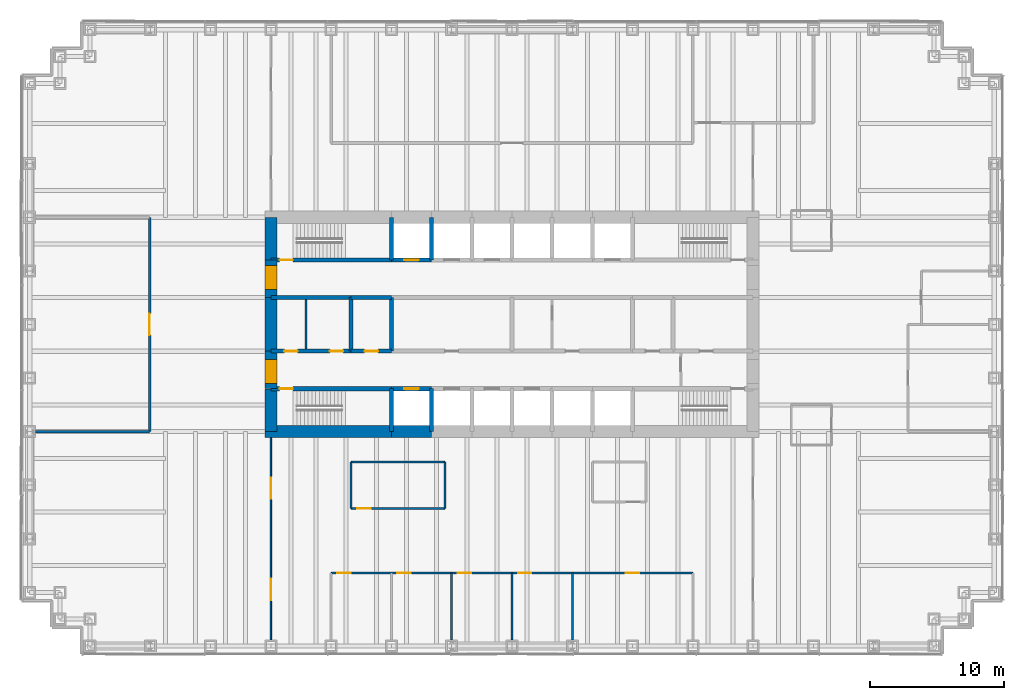
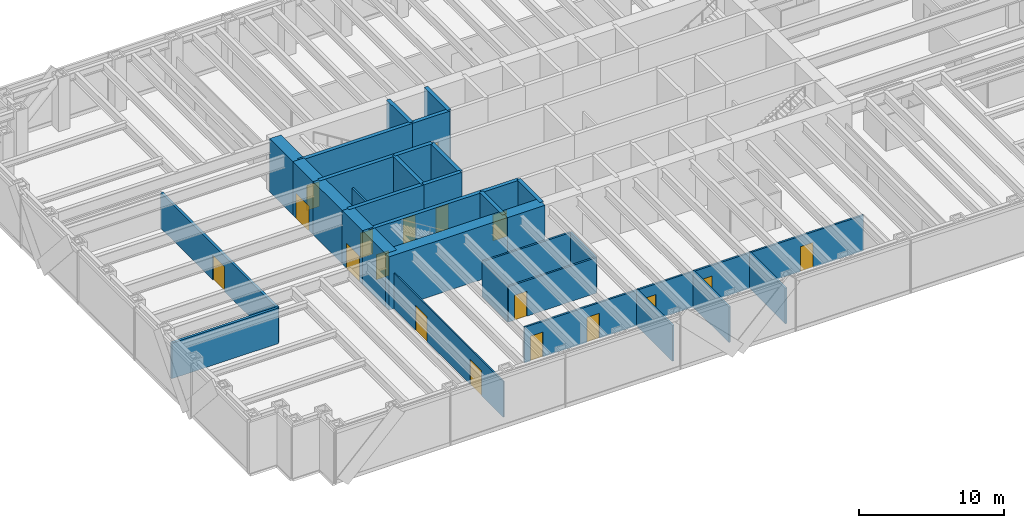
# One storey, part 9 of 13: 33 walls, 18 doors, 18 openings.
"""IFC4 building model written with IfcOpenShell, lengths in metres."""

from ifc_helpers import new_model, si_unit, direction, frame, frame_2d, origin, place, context, subcontext, project, spatial, rectangle, extrude, material, layer, layer_set, type_object, element, fill, save


model = new_model("IFC4")

# Units and contexts
model_context = context("Model", 3, precision=1e-05, world=origin(), true_north=direction((0.0, 1.0)))
body_context = subcontext(model_context, "Body", "Model", "MODEL_VIEW")
ifc_project = project(units=[si_unit("LENGTHUNIT", "METRE"), si_unit("AREAUNIT", "SQUARE_METRE"), si_unit("VOLUMEUNIT", "CUBIC_METRE"), si_unit("PLANEANGLEUNIT", "RADIAN"), si_unit("MASSUNIT", "GRAM", prefix="KILO")], contexts=[model_context])

# Site, building, storey
site_placement = place(None, origin())
site = spatial("IfcSite", under=ifc_project, at=site_placement, CompositionType="ELEMENT")
building_placement = place(site_placement, origin())
building = spatial("IfcBuilding", under=site, at=building_placement, Name="Rheinbord Bourse Tower", CompositionType="ELEMENT")
storey_placement = place(building_placement, frame((0.0, 0.0, 32.0)))
storey = spatial("IfcBuildingStorey", under=building, at=storey_placement, Name="L06", CompositionType="ELEMENT", Elevation=32.0)

# Wall
ifc_material_1 = material(Name="Acoustic gypsum board partition", Category="gypsum board")
ifc_layer_1 = layer(ifc_material_1, 0.199951171875)
ifc_layer_set_1 = layer_set([ifc_layer_1], Name="ACOUSTIC PARTITION 200")
wall_type_1 = type_object("IfcWallType", Name="ACOUSTIC PARTITION 200", PredefinedType="PARTITIONING", material=ifc_layer_set_1)
wall_1_placement = place(storey_placement, frame((0.449951171875, 16.0, 0.0), z_axis=(0.0, 0.0, 1.0), x_axis=(1.0, 0.0, 0.0)))
element("IfcWall", 1, at=wall_1_placement, inside=storey, type_object=wall_type_1, Name="Partition L06-07", PredefinedType="PARTITIONING", context=body_context, shape_type="SweptSolid", body=[
    extrude(rectangle(XDim=8.5, YDim=0.199951171875, at=frame_2d((4.25, 0.0))), origin(), (0.0, 0.0, 1.0), 3.0),
])

# Wall, opening, door
wall_2_placement = place(storey_placement, frame((8.949951171875, 16.0, 0.0), z_axis=(0.0, 0.0, 1.0), x_axis=(0.0, 1.0, 0.0)))
wall_2 = element("IfcWall", 2, at=wall_2_placement, inside=storey, type_object=wall_type_1, Name="Partition L06-17", PredefinedType="PARTITIONING", context=body_context, shape_type="SweptSolid", body=[
    extrude(rectangle(XDim=16.0, YDim=0.199951171875, at=frame_2d((8.0, 0.0))), origin(), (0.0, 0.0, 1.0), 3.0),
])
opening_1_placement = place(wall_2_placement, frame((7.199951171875, 0.0, 0.0)))
opening_1 = element("IfcOpeningElement", 3, at=opening_1_placement, cuts=wall_2, Name="Opening 06D10", PredefinedType="OPENING", context=body_context, shape_type="SweptSolid", body=[
    extrude(rectangle(XDim=1.60009765625, YDim=2.10009765625, at=frame_2d((0.800048828125, 1.050048828125))), frame((0.0, 0.10986328125, 0.0), z_axis=(0.0, -1.0, 0.0), x_axis=(1.0, 0.0, 0.0)), (0.0, 0.0, 1.0), 0.219970703125),
])
ifc_material_2 = material(Name="Timber door", Category="wood")
door_type_1 = type_object("IfcDoorType", Name="DOUBLE ROOM DOOR 1600", OperationType="DOUBLE_DOOR_DOUBLE_SWING", PredefinedType="DOOR", material=ifc_material_2)
door_1_placement = place(opening_1_placement, origin())
door_1 = element("IfcDoor", 4, at=door_1_placement, inside=storey, type_object=door_type_1, Name="Market surveillance room door L06", OperationType="SINGLE_SWING_LEFT", OverallHeight=2.10009765625, OverallWidth=1.60009765625, PredefinedType="DOOR", context=body_context, shape_type="SweptSolid", body=[
    extrude(rectangle(XDim=1.60009765625, YDim=2.10009765625, at=frame_2d((0.800048828125, 1.050048828125))), frame((0.0, 0.02490234375, 0.0), z_axis=(0.0, -1.0, 0.0), x_axis=(1.0, 0.0, 0.0)), (0.0, 0.0, 1.0), 0.050048828125),
])
fill(opening_1, door_1)

ifc_material_3 = material(Name="Concrete C50/60", Category="concrete")
ifc_layer_2 = layer(ifc_material_3, 0.300048828125)
ifc_layer_set_2 = layer_set([ifc_layer_2], Name="CORE INNER WALL 300")
wall_type_2 = type_object("IfcWallType", Name="CORE INNER WALL 300", PredefinedType="SOLIDWALL", material=ifc_layer_set_2)
wall_3_placement = place(storey_placement, frame((18.0, 19.199951171875, 0.0), z_axis=(0.0, 0.0, 1.0), x_axis=(1.0, 0.0, 0.0)))
wall_3 = element("IfcWall", 5, at=wall_3_placement, inside=storey, type_object=wall_type_2, Name="Core wall A1 L06", PredefinedType="SOLIDWALL", context=body_context, shape_type="SweptSolid", body=[
    extrude(rectangle(XDim=9.0, YDim=0.300048828125, at=frame_2d((4.5, 0.0))), origin(), (0.0, 0.0, 1.0), 4.5),
])
opening_2_placement = place(wall_3_placement, frame((0.64990234375, 0.0, 0.0)))
opening_2 = element("IfcOpeningElement", 6, at=opening_2_placement, cuts=wall_3, Name="Opening 0610", PredefinedType="OPENING", context=body_context, shape_type="SweptSolid", body=[
    extrude(rectangle(XDim=1.0, YDim=2.10009765625, at=frame_2d((0.5, 1.050048828125))), frame((0.0, 0.159912109375, 0.0), z_axis=(0.0, -1.0, 0.0), x_axis=(1.0, 0.0, 0.0)), (0.0, 0.0, 1.0), 0.320068359375),
])
ifc_material_4 = material(Name="Steel door", Category="steel")
door_type_2 = type_object("IfcDoorType", Name="DOOR 1000 EI30", OperationType="SINGLE_SWING_LEFT", PredefinedType="DOOR", material=ifc_material_4)
door_2_placement = place(opening_2_placement, origin())
door_2 = element("IfcDoor", 7, at=door_2_placement, inside=storey, type_object=door_type_2, Name="Stair door ST1 L06", OperationType="SINGLE_SWING_LEFT", OverallHeight=2.10009765625, OverallWidth=1.0, PredefinedType="DOOR", context=body_context, shape_type="SweptSolid", body=[
    extrude(rectangle(XDim=1.0, YDim=2.10009765625, at=frame_2d((0.5, 1.050048828125))), frame((0.0, 0.02490234375, 0.0), z_axis=(0.0, -1.0, 0.0), x_axis=(1.0, 0.0, 0.0)), (0.0, 0.0, 1.0), 0.050048828125),
])
fill(opening_2, door_2)

wall_4_placement = place(storey_placement, frame((27.0, 19.199951171875, 0.0), z_axis=(0.0, 0.0, 1.0), x_axis=(1.0, 0.0, 0.0)))
wall_4 = element("IfcWall", 8, at=wall_4_placement, inside=storey, type_object=wall_type_2, Name="Core wall A2 L06", PredefinedType="SOLIDWALL", context=body_context, shape_type="SweptSolid", body=[
    extrude(rectangle(XDim=3.0, YDim=0.300048828125, at=frame_2d((1.5, 0.0))), origin(), (0.0, 0.0, 1.0), 4.5),
])
opening_3_placement = place(wall_4_placement, frame((0.949951171875, 0.0, 0.0)))
opening_3 = element("IfcOpeningElement", 9, at=opening_3_placement, cuts=wall_4, Name="Opening FL1", PredefinedType="OPENING", context=body_context, shape_type="SweptSolid", body=[
    extrude(rectangle(XDim=1.10009765625, YDim=2.199951171875, at=frame_2d((0.550048828125, 1.10009765625))), frame((0.0, 0.159912109375, 0.0), z_axis=(0.0, -1.0, 0.0), x_axis=(1.0, 0.0, 0.0)), (0.0, 0.0, 1.0), 0.320068359375),
])
ifc_material_5 = material(Name="Steel landing door", Category="steel")
door_type_3 = type_object("IfcDoorType", Name="LIFT LANDING DOOR 1100", OperationType="DOUBLE_DOOR_SLIDING", PredefinedType="USERDEFINED", material=ifc_material_5)
door_3_placement = place(opening_3_placement, origin())
door_3 = element("IfcDoor", 10, at=door_3_placement, inside=storey, type_object=door_type_3, Name="Lift landing door FL1 L06", ObjectType="LIFT LANDING DOOR", OperationType="DOUBLE_DOOR_SLIDING", OverallHeight=2.199951171875, OverallWidth=1.10009765625, PredefinedType="USERDEFINED", context=body_context, shape_type="SweptSolid", body=[
    extrude(rectangle(XDim=1.10009765625, YDim=2.199951171875, at=frame_2d((0.550048828125, 1.10009765625))), frame((0.0, 0.02490234375, 0.0), z_axis=(0.0, -1.0, 0.0), x_axis=(1.0, 0.0, 0.0)), (0.0, 0.0, 1.0), 0.050048828125),
])
fill(opening_3, door_3)

wall_5_placement = place(storey_placement, frame((18.0, 28.800048828125, 0.0), z_axis=(0.0, 0.0, 1.0), x_axis=(1.0, 0.0, 0.0)))
wall_5 = element("IfcWall", 11, at=wall_5_placement, inside=storey, type_object=wall_type_2, Name="Core wall B1 L06", PredefinedType="SOLIDWALL", context=body_context, shape_type="SweptSolid", body=[
    extrude(rectangle(XDim=9.0, YDim=0.300048828125, at=frame_2d((4.5, 0.0))), origin(), (0.0, 0.0, 1.0), 4.5),
])
opening_4_placement = place(wall_5_placement, frame((0.64990234375, 0.0, 0.0)))
opening_4 = element("IfcOpeningElement", 12, at=opening_4_placement, cuts=wall_5, Name="Opening 0620", PredefinedType="OPENING", context=body_context, shape_type="SweptSolid", body=[
    extrude(rectangle(XDim=1.0, YDim=2.10009765625, at=frame_2d((0.5, 1.050048828125))), frame((0.0, 0.159912109375, 0.0), z_axis=(0.0, -1.0, 0.0), x_axis=(1.0, 0.0, 0.0)), (0.0, 0.0, 1.0), 0.320068359375),
])
door_4_placement = place(opening_4_placement, origin())
door_4 = element("IfcDoor", 13, at=door_4_placement, inside=storey, type_object=door_type_2, Name="Stair door ST2 L06", OperationType="SINGLE_SWING_LEFT", OverallHeight=2.10009765625, OverallWidth=1.0, PredefinedType="DOOR", context=body_context, shape_type="SweptSolid", body=[
    extrude(rectangle(XDim=1.0, YDim=2.10009765625, at=frame_2d((0.5, 1.050048828125))), frame((0.0, 0.02490234375, 0.0), z_axis=(0.0, -1.0, 0.0), x_axis=(1.0, 0.0, 0.0)), (0.0, 0.0, 1.0), 0.050048828125),
])
fill(opening_4, door_4)

wall_6_placement = place(storey_placement, frame((27.0, 28.800048828125, 0.0), z_axis=(0.0, 0.0, 1.0), x_axis=(1.0, 0.0, 0.0)))
wall_6 = element("IfcWall", 14, at=wall_6_placement, inside=storey, type_object=wall_type_2, Name="Core wall B2 L06", PredefinedType="SOLIDWALL", context=body_context, shape_type="SweptSolid", body=[
    extrude(rectangle(XDim=3.0, YDim=0.300048828125, at=frame_2d((1.5, 0.0))), origin(), (0.0, 0.0, 1.0), 4.5),
])
opening_5_placement = place(wall_6_placement, frame((0.949951171875, 0.0, 0.0)))
opening_5 = element("IfcOpeningElement", 15, at=opening_5_placement, cuts=wall_6, Name="Opening GL1", PredefinedType="OPENING", context=body_context, shape_type="SweptSolid", body=[
    extrude(rectangle(XDim=1.10009765625, YDim=2.199951171875, at=frame_2d((0.550048828125, 1.10009765625))), frame((0.0, 0.159912109375, 0.0), z_axis=(0.0, -1.0, 0.0), x_axis=(1.0, 0.0, 0.0)), (0.0, 0.0, 1.0), 0.320068359375),
])
door_5_placement = place(opening_5_placement, origin())
door_5 = element("IfcDoor", 16, at=door_5_placement, inside=storey, type_object=door_type_3, Name="Lift landing door GL1 L06", ObjectType="LIFT LANDING DOOR", OperationType="DOUBLE_DOOR_SLIDING", OverallHeight=2.199951171875, OverallWidth=1.10009765625, PredefinedType="USERDEFINED", context=body_context, shape_type="SweptSolid", body=[
    extrude(rectangle(XDim=1.10009765625, YDim=2.199951171875, at=frame_2d((0.550048828125, 1.10009765625))), frame((0.0, 0.02490234375, 0.0), z_axis=(0.0, -1.0, 0.0), x_axis=(1.0, 0.0, 0.0)), (0.0, 0.0, 1.0), 0.050048828125),
])
fill(opening_5, door_5)

# Wall, openings, doors
wall_7_placement = place(storey_placement, frame((18.0, 22.0, 0.0), z_axis=(0.0, 0.0, 1.0), x_axis=(1.0, 0.0, 0.0)))
wall_7 = element("IfcWall", 17, at=wall_7_placement, inside=storey, type_object=wall_type_2, Name="Core wall C1 L06", PredefinedType="SOLIDWALL", context=body_context, shape_type="SweptSolid", body=[
    extrude(rectangle(XDim=6.0, YDim=0.300048828125, at=frame_2d((3.0, 0.0))), origin(), (0.0, 0.0, 1.0), 4.5),
])
opening_6_placement = place(wall_7_placement, frame((4.39990234375, 0.0, 0.0)))
opening_6 = element("IfcOpeningElement", 18, at=opening_6_placement, cuts=wall_7, Name="Opening 06R1", PredefinedType="OPENING", context=body_context, shape_type="SweptSolid", body=[
    extrude(rectangle(XDim=1.0, YDim=2.10009765625, at=frame_2d((0.5, 1.050048828125))), frame((0.0, 0.159912109375, 0.0), z_axis=(0.0, -1.0, 0.0), x_axis=(1.0, 0.0, 0.0)), (0.0, 0.0, 1.0), 0.320068359375),
])
opening_7_placement = place(wall_7_placement, frame((1.0, 0.0, 0.0)))
opening_7 = element("IfcOpeningElement", 19, at=opening_7_placement, cuts=wall_7, Name="Opening 06R9", PredefinedType="OPENING", context=body_context, shape_type="SweptSolid", body=[
    extrude(rectangle(XDim=1.0, YDim=2.10009765625, at=frame_2d((0.5, 1.050048828125))), frame((0.0, 0.159912109375, 0.0), z_axis=(0.0, -1.0, 0.0), x_axis=(1.0, 0.0, 0.0)), (0.0, 0.0, 1.0), 0.320068359375),
])
door_6_placement = place(opening_7_placement, origin())
door_6 = element("IfcDoor", 20, at=door_6_placement, inside=storey, type_object=door_type_2, Name="Baby change door L06", OperationType="SINGLE_SWING_LEFT", OverallHeight=2.10009765625, OverallWidth=1.0, PredefinedType="DOOR", context=body_context, shape_type="SweptSolid", body=[
    extrude(rectangle(XDim=1.0, YDim=2.10009765625, at=frame_2d((0.5, 1.050048828125))), frame((0.0, 0.02490234375, 0.0), z_axis=(0.0, -1.0, 0.0), x_axis=(1.0, 0.0, 0.0)), (0.0, 0.0, 1.0), 0.050048828125),
])
fill(opening_7, door_6)
ifc_material_6 = material(Name="Timber door", Category="wood")
door_type_4 = type_object("IfcDoorType", Name="DOOR 1000 WC", OperationType="SINGLE_SWING_LEFT", PredefinedType="DOOR", material=ifc_material_6)
door_7_placement = place(opening_6_placement, origin())
door_7 = element("IfcDoor", 21, at=door_7_placement, inside=storey, type_object=door_type_4, Name="WC men door L06", OperationType="SINGLE_SWING_RIGHT", OverallHeight=2.10009765625, OverallWidth=1.0, PredefinedType="DOOR", context=body_context, shape_type="SweptSolid", body=[
    extrude(rectangle(XDim=1.0, YDim=2.10009765625, at=frame_2d((0.5, 1.050048828125))), frame((0.0, 0.02490234375, 0.0), z_axis=(0.0, -1.0, 0.0), x_axis=(1.0, 0.0, 0.0)), (0.0, 0.0, 1.0), 0.050048828125),
])
fill(opening_6, door_7)

# Wall, opening, door
wall_8_placement = place(storey_placement, frame((24.0, 22.0, 0.0), z_axis=(0.0, 0.0, 1.0), x_axis=(1.0, 0.0, 0.0)))
wall_8 = element("IfcWall", 22, at=wall_8_placement, inside=storey, type_object=wall_type_2, Name="Core wall C2 L06", PredefinedType="SOLIDWALL", context=body_context, shape_type="SweptSolid", body=[
    extrude(rectangle(XDim=3.0, YDim=0.300048828125, at=frame_2d((1.5, 0.0))), origin(), (0.0, 0.0, 1.0), 4.5),
])
opening_8_placement = place(wall_8_placement, frame((1.0, 0.0, 0.0)))
opening_8 = element("IfcOpeningElement", 23, at=opening_8_placement, cuts=wall_8, Name="Opening 06R2", PredefinedType="OPENING", context=body_context, shape_type="SweptSolid", body=[
    extrude(rectangle(XDim=1.0, YDim=2.10009765625, at=frame_2d((0.5, 1.050048828125))), frame((0.0, 0.159912109375, 0.0), z_axis=(0.0, -1.0, 0.0), x_axis=(1.0, 0.0, 0.0)), (0.0, 0.0, 1.0), 0.320068359375),
])
door_8_placement = place(opening_8_placement, origin())
door_8 = element("IfcDoor", 24, at=door_8_placement, inside=storey, type_object=door_type_4, Name="Accessible WC door L06", OperationType="SINGLE_SWING_LEFT", OverallHeight=2.10009765625, OverallWidth=1.0, PredefinedType="DOOR", context=body_context, shape_type="SweptSolid", body=[
    extrude(rectangle(XDim=1.0, YDim=2.10009765625, at=frame_2d((0.5, 1.050048828125))), frame((0.0, 0.02490234375, 0.0), z_axis=(0.0, -1.0, 0.0), x_axis=(1.0, 0.0, 0.0)), (0.0, 0.0, 1.0), 0.050048828125),
])
fill(opening_8, door_8)

# Walls
wall_9_placement = place(storey_placement, frame((18.0, 26.0, 0.0), z_axis=(0.0, 0.0, 1.0), x_axis=(1.0, 0.0, 0.0)))
element("IfcWall", 25, at=wall_9_placement, inside=storey, type_object=wall_type_2, Name="Core wall D1 L06", PredefinedType="SOLIDWALL", context=body_context, shape_type="SweptSolid", body=[
    extrude(rectangle(XDim=6.0, YDim=0.300048828125, at=frame_2d((3.0, 0.0))), origin(), (0.0, 0.0, 1.0), 4.5),
])
wall_10_placement = place(storey_placement, frame((24.0, 26.0, 0.0), z_axis=(0.0, 0.0, 1.0), x_axis=(1.0, 0.0, 0.0)))
element("IfcWall", 26, at=wall_10_placement, inside=storey, type_object=wall_type_2, Name="Core wall D2 L06", PredefinedType="SOLIDWALL", context=body_context, shape_type="SweptSolid", body=[
    extrude(rectangle(XDim=3.0, YDim=0.300048828125, at=frame_2d((1.5, 0.0))), origin(), (0.0, 0.0, 1.0), 4.5),
])
for number, where, z_axis, x_axis, name in (
    (27, (27.0, 16.0, 0.0), (0.0, 0.0, 1.0), (0.0, 1.0, 0.0), "Core wall SX27 L06"),
    (28, (27.0, 28.800048828125, 0.0), (0.0, 0.0, 1.0), (0.0, 1.0, 0.0), "Core wall NX27 L06"),
    (29, (30.0, 16.0, 0.0), (0.0, 0.0, 1.0), (0.0, 1.0, 0.0), "Core wall SX30 L06"),
    (30, (30.0, 28.800048828125, 0.0), (0.0, 0.0, 1.0), (0.0, 1.0, 0.0), "Core wall NX30 L06"),
):
    element("IfcWall", number, at=place(storey_placement, frame(where, z_axis=z_axis, x_axis=x_axis)), inside=storey, type_object=wall_type_2, Name=name, PredefinedType="SOLIDWALL", context=body_context, shape_type="SweptSolid", body=[
        extrude(rectangle(XDim=3.199951171875, YDim=0.300048828125, at=frame_2d((1.60009765625, 0.0))), origin(), (0.0, 0.0, 1.0), 4.5),
    ])
for number, where, z_axis, x_axis, name in (
    (31, (24.0, 22.0, 0.0), (0.0, 0.0, 1.0), (0.0, 1.0, 0.0), "Core wall MX24 L06"),
    (32, (27.0, 22.0, 0.0), (0.0, 0.0, 1.0), (0.0, 1.0, 0.0), "Core wall MX27 L06"),
):
    element("IfcWall", number, at=place(storey_placement, frame(where, z_axis=z_axis, x_axis=x_axis)), inside=storey, type_object=wall_type_2, Name=name, PredefinedType="SOLIDWALL", context=body_context, shape_type="SweptSolid", body=[
        extrude(rectangle(XDim=4.0, YDim=0.300048828125, at=frame_2d((2.0, 0.0))), origin(), (0.0, 0.0, 1.0), 4.5),
    ])
ifc_material_7 = material(Name="Gypsum board fire partition", Category="gypsum board")
ifc_layer_3 = layer(ifc_material_7, 0.14990234375)
ifc_layer_set_3 = layer_set([ifc_layer_3], Name="CORE PARTITION 150 EI30")
wall_type_3 = type_object("IfcWallType", Name="CORE PARTITION 150 EI30", PredefinedType="PARTITIONING", material=ifc_layer_set_3)
wall_11_placement = place(storey_placement, frame((20.625, 22.14990234375, 0.0), z_axis=(0.0, 0.0, 1.0), x_axis=(0.0, 1.0, 0.0)))
element("IfcWall", 33, at=wall_11_placement, inside=storey, type_object=wall_type_3, Name="Core partition L06-2", PredefinedType="PARTITIONING", context=body_context, shape_type="SweptSolid", body=[
    extrude(rectangle(XDim=3.7001953125, YDim=0.14990234375, at=frame_2d((1.85009765625, 0.0))), origin(), (0.0, 0.0, 1.0), 3.0),
])
ifc_material_8 = material(Name="Concrete C50/60", Category="concrete")
ifc_layer_4 = layer(ifc_material_8, 0.89990234375)
ifc_layer_set_4 = layer_set([ifc_layer_4], Name="CORE WALL 900")
wall_type_4 = type_object("IfcWallType", Name="CORE WALL 900", PredefinedType="SHEAR", material=ifc_layer_set_4)
wall_12_placement = place(storey_placement, frame((17.550048828125, 16.0, 0.0), z_axis=(0.0, 0.0, 1.0), x_axis=(1.0, 0.0, 0.0)))
element("IfcWall", 34, at=wall_12_placement, inside=storey, type_object=wall_type_4, Name="Core wall S1 L06", PredefinedType="SHEAR", context=body_context, shape_type="SweptSolid", body=[
    extrude(rectangle(XDim=9.449951171875, YDim=0.89990234375, at=frame_2d((4.72509765625, 0.0))), origin(), (0.0, 0.0, 1.0), 4.5),
])
wall_13_placement = place(storey_placement, frame((27.0, 16.0, 0.0), z_axis=(0.0, 0.0, 1.0), x_axis=(1.0, 0.0, 0.0)))
element("IfcWall", 35, at=wall_13_placement, inside=storey, type_object=wall_type_4, Name="Core wall S2 L06", PredefinedType="SHEAR", context=body_context, shape_type="SweptSolid", body=[
    extrude(rectangle(XDim=3.0, YDim=0.89990234375, at=frame_2d((1.5, 0.0))), origin(), (0.0, 0.0, 1.0), 4.5),
])
wall_14_placement = place(storey_placement, frame((18.0, 32.0, 0.0), z_axis=(0.0, 0.0, 1.0), x_axis=(0.0, -1.0, 0.0)))
element("IfcWall", 36, at=wall_14_placement, inside=storey, type_object=wall_type_4, Name="Core wall W1 L06", PredefinedType="SHEAR", context=body_context, shape_type="SweptSolid", body=[
    extrude(rectangle(XDim=3.199951171875, YDim=0.89990234375, at=frame_2d((1.60009765625, 0.0))), origin(), (0.0, 0.0, 1.0), 4.5),
])

# Wall, opening, door
wall_15_placement = place(storey_placement, frame((18.0, 28.800048828125, 0.0), z_axis=(0.0, 0.0, 1.0), x_axis=(0.0, -1.0, 0.0)))
wall_15 = element("IfcWall", 37, at=wall_15_placement, inside=storey, type_object=wall_type_4, Name="Core wall W2 L06", PredefinedType="SHEAR", context=body_context, shape_type="SweptSolid", body=[
    extrude(rectangle(XDim=2.800048828125, YDim=0.89990234375, at=frame_2d((1.39990234375, 0.0))), origin(), (0.0, 0.0, 1.0), 4.5),
])
opening_9_placement = place(wall_15_placement, frame((0.39990234375, 0.0, 0.0)))
opening_9 = element("IfcOpeningElement", 38, at=opening_9_placement, cuts=wall_15, Name="Opening 06L2", PredefinedType="OPENING", context=body_context, shape_type="SweptSolid", body=[
    extrude(rectangle(XDim=1.800048828125, YDim=2.10009765625, at=frame_2d((0.89990234375, 1.050048828125))), frame((0.0, 0.4599609375, 0.0), z_axis=(0.0, -1.0, 0.0), x_axis=(1.0, 0.0, 0.0)), (0.0, 0.0, 1.0), 0.919921875),
])
ifc_material_9 = material(Name="Steel door", Category="steel")
door_type_5 = type_object("IfcDoorType", Name="DOOR 1800 EI30 DOUBLE", OperationType="DOUBLE_DOOR_DOUBLE_SWING", PredefinedType="DOOR", material=ifc_material_9)
door_9_placement = place(opening_9_placement, origin())
door_9 = element("IfcDoor", 39, at=door_9_placement, inside=storey, type_object=door_type_5, Name="Lobby door 2 L06", OperationType="SINGLE_SWING_LEFT", OverallHeight=2.10009765625, OverallWidth=1.800048828125, PredefinedType="DOOR", context=body_context, shape_type="SweptSolid", body=[
    extrude(rectangle(XDim=1.800048828125, YDim=2.10009765625, at=frame_2d((0.89990234375, 1.050048828125))), frame((0.0, 0.44970703125, 0.0), z_axis=(0.0, -1.0, 0.0), x_axis=(1.0, 0.0, 0.0)), (0.0, 0.0, 1.0), 0.8994140625),
])
fill(opening_9, door_9)

# Wall
wall_16_placement = place(storey_placement, frame((18.0, 26.0, 0.0), z_axis=(0.0, 0.0, 1.0), x_axis=(0.0, -1.0, 0.0)))
element("IfcWall", 40, at=wall_16_placement, inside=storey, type_object=wall_type_4, Name="Core wall W3 L06", PredefinedType="SHEAR", context=body_context, shape_type="SweptSolid", body=[
    extrude(rectangle(XDim=4.0, YDim=0.89990234375, at=frame_2d((2.0, 0.0))), origin(), (0.0, 0.0, 1.0), 4.5),
])

# Wall, opening, door
wall_17_placement = place(storey_placement, frame((18.0, 22.0, 0.0), z_axis=(0.0, 0.0, 1.0), x_axis=(0.0, -1.0, 0.0)))
wall_17 = element("IfcWall", 41, at=wall_17_placement, inside=storey, type_object=wall_type_4, Name="Core wall W4 L06", PredefinedType="SHEAR", context=body_context, shape_type="SweptSolid", body=[
    extrude(rectangle(XDim=2.800048828125, YDim=0.89990234375, at=frame_2d((1.39990234375, 0.0))), origin(), (0.0, 0.0, 1.0), 4.5),
])
opening_10_placement = place(wall_17_placement, frame((0.60009765625, 0.0, 0.0)))
opening_10 = element("IfcOpeningElement", 42, at=opening_10_placement, cuts=wall_17, Name="Opening 06L1", PredefinedType="OPENING", context=body_context, shape_type="SweptSolid", body=[
    extrude(rectangle(XDim=1.800048828125, YDim=2.10009765625, at=frame_2d((0.89990234375, 1.050048828125))), frame((0.0, 0.4599609375, 0.0), z_axis=(0.0, -1.0, 0.0), x_axis=(1.0, 0.0, 0.0)), (0.0, 0.0, 1.0), 0.919921875),
])
door_10_placement = place(opening_10_placement, origin())
door_10 = element("IfcDoor", 43, at=door_10_placement, inside=storey, type_object=door_type_5, Name="Lobby door 1 L06", OperationType="SINGLE_SWING_LEFT", OverallHeight=2.10009765625, OverallWidth=1.800048828125, PredefinedType="DOOR", context=body_context, shape_type="SweptSolid", body=[
    extrude(rectangle(XDim=1.800048828125, YDim=2.10009765625, at=frame_2d((0.89990234375, 1.050048828125))), frame((0.0, 0.44970703125, 0.0), z_axis=(0.0, -1.0, 0.0), x_axis=(1.0, 0.0, 0.0)), (0.0, 0.0, 1.0), 0.8994140625),
])
fill(opening_10, door_10)

# Wall
wall_18_placement = place(storey_placement, frame((18.0, 19.199951171875, 0.0), z_axis=(0.0, 0.0, 1.0), x_axis=(0.0, -1.0, 0.0)))
element("IfcWall", 44, at=wall_18_placement, inside=storey, type_object=wall_type_4, Name="Core wall W5 L06", PredefinedType="SHEAR", context=body_context, shape_type="SweptSolid", body=[
    extrude(rectangle(XDim=3.199951171875, YDim=0.89990234375, at=frame_2d((1.60009765625, 0.0))), origin(), (0.0, 0.0, 1.0), 4.5),
])

# Wall, opening, door
ifc_material_10 = material(Name="Gypsum board fire partition", Category="gypsum board")
ifc_layer_5 = layer(ifc_material_10, 0.14990234375)
ifc_layer_set_5 = layer_set([ifc_layer_5], Name="FIRE PARTITION 150 EI60")
wall_type_5 = type_object("IfcWallType", Name="FIRE PARTITION 150 EI60", PredefinedType="PARTITIONING", material=ifc_layer_set_5)
wall_19_placement = place(storey_placement, frame((24.0, 10.25, 0.0), z_axis=(0.0, 0.0, 1.0), x_axis=(1.0, 0.0, 0.0)))
wall_19 = element("IfcWall", 45, at=wall_19_placement, inside=storey, type_object=wall_type_5, Name="Partition L06-02", PredefinedType="PARTITIONING", context=body_context, shape_type="SweptSolid", body=[
    extrude(rectangle(XDim=7.0, YDim=0.14990234375, at=frame_2d((3.5, 0.0))), origin(), (0.0, 0.0, 1.0), 3.0),
])
opening_11_placement = place(wall_19_placement, frame((0.449951171875, 0.0, 0.0)))
opening_11 = element("IfcOpeningElement", 46, at=opening_11_placement, cuts=wall_19, Name="Opening 06D06", PredefinedType="OPENING", context=body_context, shape_type="SweptSolid", body=[
    extrude(rectangle(XDim=1.0, YDim=2.10009765625, at=frame_2d((0.5, 1.050048828125))), frame((0.0, 0.0849609375, 0.0), z_axis=(0.0, -1.0, 0.0), x_axis=(1.0, 0.0, 0.0)), (0.0, 0.0, 1.0), 0.169921875),
])
ifc_material_11 = material(Name="Timber fire door", Category="wood")
door_type_6 = type_object("IfcDoorType", Name="FIRE DOOR 1000 EI60", OperationType="SINGLE_SWING_LEFT", PredefinedType="DOOR", material=ifc_material_11)
door_11_placement = place(opening_11_placement, origin())
door_11 = element("IfcDoor", 47, at=door_11_placement, inside=storey, type_object=door_type_6, Name="Comms room door L06", OperationType="SINGLE_SWING_LEFT", OverallHeight=2.10009765625, OverallWidth=1.0, PredefinedType="DOOR", context=body_context, shape_type="SweptSolid", body=[
    extrude(rectangle(XDim=1.0, YDim=2.10009765625, at=frame_2d((0.5, 1.050048828125))), frame((0.0, 0.02490234375, 0.0), z_axis=(0.0, -1.0, 0.0), x_axis=(1.0, 0.0, 0.0)), (0.0, 0.0, 1.0), 0.050048828125),
])
fill(opening_11, door_11)

# Walls
wall_20_placement = place(storey_placement, frame((24.0, 13.75, 0.0), z_axis=(0.0, 0.0, 1.0), x_axis=(1.0, 0.0, 0.0)))
element("IfcWall", 48, at=wall_20_placement, inside=storey, type_object=wall_type_5, Name="Partition L06-04", PredefinedType="PARTITIONING", context=body_context, shape_type="SweptSolid", body=[
    extrude(rectangle(XDim=7.0, YDim=0.14990234375, at=frame_2d((3.5, 0.0))), origin(), (0.0, 0.0, 1.0), 3.0),
])
for number, where, z_axis, x_axis, name in (
    (49, (24.0, 10.25, 0.0), (0.0, 0.0, 1.0), (0.0, 1.0, 0.0), "Partition L06-22"),
    (50, (31.0, 10.25, 0.0), (0.0, 0.0, 1.0), (0.0, 1.0, 0.0), "Partition L06-24"),
):
    element("IfcWall", number, at=place(storey_placement, frame(where, z_axis=z_axis, x_axis=x_axis)), inside=storey, type_object=wall_type_5, Name=name, PredefinedType="PARTITIONING", context=body_context, shape_type="SweptSolid", body=[
        extrude(rectangle(XDim=3.5, YDim=0.14990234375, at=frame_2d((1.75, 0.0))), origin(), (0.0, 0.0, 1.0), 3.0),
    ])

# Wall, openings, doors
ifc_material_12 = material(Name="Toughened laminated glass partition", Category="glass")
ifc_layer_6 = layer(ifc_material_12, 0.10009765625)
ifc_layer_set_6 = layer_set([ifc_layer_6], Name="GLAZED PARTITION 100")
wall_type_6 = type_object("IfcWallType", Name="GLAZED PARTITION 100", PredefinedType="PARTITIONING", material=ifc_layer_set_6)
wall_21_placement = place(storey_placement, frame((18.0, 0.449951171875, 0.0), z_axis=(0.0, 0.0, 1.0), x_axis=(0.0, 1.0, 0.0)))
wall_21 = element("IfcWall", 51, at=wall_21_placement, inside=storey, type_object=wall_type_6, Name="Partition L06-18", PredefinedType="PARTITIONING", context=body_context, shape_type="SweptSolid", body=[
    extrude(rectangle(XDim=15.10009765625, YDim=0.10009765625, at=frame_2d((7.550048828125, 0.0))), origin(), (0.0, 0.0, 1.0), 3.0),
])
opening_12_placement = place(wall_21_placement, frame((2.97509765625, 0.0, 0.0)))
opening_12 = element("IfcOpeningElement", 52, at=opening_12_placement, cuts=wall_21, Name="Opening 06D15", PredefinedType="OPENING", context=body_context, shape_type="SweptSolid", body=[
    extrude(rectangle(XDim=1.60009765625, YDim=2.10009765625, at=frame_2d((0.800048828125, 1.050048828125))), frame((0.0, 0.06005859375, 0.0), z_axis=(0.0, -1.0, 0.0), x_axis=(1.0, 0.0, 0.0)), (0.0, 0.0, 1.0), 0.1201171875),
])
opening_13_placement = place(wall_21_placement, frame((10.52490234375, 0.0, 0.0)))
opening_13 = element("IfcOpeningElement", 53, at=opening_13_placement, cuts=wall_21, Name="Opening 06D16", PredefinedType="OPENING", context=body_context, shape_type="SweptSolid", body=[
    extrude(rectangle(XDim=1.60009765625, YDim=2.10009765625, at=frame_2d((0.800048828125, 1.050048828125))), frame((0.0, 0.06005859375, 0.0), z_axis=(0.0, -1.0, 0.0), x_axis=(1.0, 0.0, 0.0)), (0.0, 0.0, 1.0), 0.1201171875),
])
door_12_placement = place(opening_12_placement, origin())
door_12 = element("IfcDoor", 54, at=door_12_placement, inside=storey, type_object=door_type_1, Name="Open area door L06", OperationType="SINGLE_SWING_LEFT", OverallHeight=2.10009765625, OverallWidth=1.60009765625, PredefinedType="DOOR", context=body_context, shape_type="SweptSolid", body=[
    extrude(rectangle(XDim=1.60009765625, YDim=2.10009765625, at=frame_2d((0.800048828125, 1.050048828125))), frame((0.0, 0.02490234375, 0.0), z_axis=(0.0, -1.0, 0.0), x_axis=(1.0, 0.0, 0.0)), (0.0, 0.0, 1.0), 0.050048828125),
])
fill(opening_12, door_12)
door_13_placement = place(opening_13_placement, origin())
door_13 = element("IfcDoor", 55, at=door_13_placement, inside=storey, type_object=door_type_1, Name="Open area door L06", OperationType="SINGLE_SWING_LEFT", OverallHeight=2.10009765625, OverallWidth=1.60009765625, PredefinedType="DOOR", context=body_context, shape_type="SweptSolid", body=[
    extrude(rectangle(XDim=1.60009765625, YDim=2.10009765625, at=frame_2d((0.800048828125, 1.050048828125))), frame((0.0, 0.02490234375, 0.0), z_axis=(0.0, -1.0, 0.0), x_axis=(1.0, 0.0, 0.0)), (0.0, 0.0, 1.0), 0.050048828125),
])
fill(opening_13, door_13)

ifc_material_13 = material(Name="Gypsum board partition", Category="gypsum board")
ifc_layer_7 = layer(ifc_material_13, 0.14990234375)
ifc_layer_set_7 = layer_set([ifc_layer_7], Name="PARTITION 150")
wall_type_7 = type_object("IfcWallType", Name="PARTITION 150", PredefinedType="PARTITIONING", material=ifc_layer_set_7)
wall_22_placement = place(storey_placement, frame((22.5, 5.449951171875, 0.0), z_axis=(0.0, 0.0, 1.0), x_axis=(1.0, 0.0, 0.0)))
wall_22 = element("IfcWall", 56, at=wall_22_placement, inside=storey, type_object=wall_type_7, Name="Partition L06-01", PredefinedType="PARTITIONING", context=body_context, shape_type="SweptSolid", body=[
    extrude(rectangle(XDim=27.0, YDim=0.14990234375, at=frame_2d((13.5, 0.0))), origin(), (0.0, 0.0, 1.0), 3.0),
])
opening_14_placement = place(wall_22_placement, frame((0.449951171875, 0.0, 0.0)))
opening_14 = element("IfcOpeningElement", 57, at=opening_14_placement, cuts=wall_22, Name="Opening 06D01", PredefinedType="OPENING", context=body_context, shape_type="SweptSolid", body=[
    extrude(rectangle(XDim=1.0, YDim=2.10009765625, at=frame_2d((0.5, 1.050048828125))), frame((0.0, 0.0849609375, 0.0), z_axis=(0.0, -1.0, 0.0), x_axis=(1.0, 0.0, 0.0)), (0.0, 0.0, 1.0), 0.169921875),
])
opening_15_placement = place(wall_22_placement, frame((4.949951171875, 0.0, 0.0)))
opening_15 = element("IfcOpeningElement", 58, at=opening_15_placement, cuts=wall_22, Name="Opening 06D02", PredefinedType="OPENING", context=body_context, shape_type="SweptSolid", body=[
    extrude(rectangle(XDim=1.0, YDim=2.10009765625, at=frame_2d((0.5, 1.050048828125))), frame((0.0, 0.0849609375, 0.0), z_axis=(0.0, -1.0, 0.0), x_axis=(1.0, 0.0, 0.0)), (0.0, 0.0, 1.0), 0.169921875),
])
opening_16_placement = place(wall_22_placement, frame((9.449951171875, 0.0, 0.0)))
opening_16 = element("IfcOpeningElement", 59, at=opening_16_placement, cuts=wall_22, Name="Opening 06D03", PredefinedType="OPENING", context=body_context, shape_type="SweptSolid", body=[
    extrude(rectangle(XDim=1.0, YDim=2.10009765625, at=frame_2d((0.5, 1.050048828125))), frame((0.0, 0.0849609375, 0.0), z_axis=(0.0, -1.0, 0.0), x_axis=(1.0, 0.0, 0.0)), (0.0, 0.0, 1.0), 0.169921875),
])
opening_17_placement = place(wall_22_placement, frame((13.949951171875, 0.0, 0.0)))
opening_17 = element("IfcOpeningElement", 60, at=opening_17_placement, cuts=wall_22, Name="Opening 06D04", PredefinedType="OPENING", context=body_context, shape_type="SweptSolid", body=[
    extrude(rectangle(XDim=1.0, YDim=2.10009765625, at=frame_2d((0.5, 1.050048828125))), frame((0.0, 0.0849609375, 0.0), z_axis=(0.0, -1.0, 0.0), x_axis=(1.0, 0.0, 0.0)), (0.0, 0.0, 1.0), 0.169921875),
])
opening_18_placement = place(wall_22_placement, frame((22.0, 0.0, 0.0)))
opening_18 = element("IfcOpeningElement", 61, at=opening_18_placement, cuts=wall_22, Name="Opening 06D05", PredefinedType="OPENING", context=body_context, shape_type="SweptSolid", body=[
    extrude(rectangle(XDim=1.0, YDim=2.10009765625, at=frame_2d((0.5, 1.050048828125))), frame((0.0, 0.0849609375, 0.0), z_axis=(0.0, -1.0, 0.0), x_axis=(1.0, 0.0, 0.0)), (0.0, 0.0, 1.0), 0.169921875),
])
ifc_material_14 = material(Name="Timber door", Category="wood")
door_type_7 = type_object("IfcDoorType", Name="ROOM DOOR 1000", OperationType="SINGLE_SWING_LEFT", PredefinedType="DOOR", material=ifc_material_14)
door_14_placement = place(opening_14_placement, origin())
door_14 = element("IfcDoor", 62, at=door_14_placement, inside=storey, type_object=door_type_7, Name="Office door L06", OperationType="SINGLE_SWING_LEFT", OverallHeight=2.10009765625, OverallWidth=1.0, PredefinedType="DOOR", context=body_context, shape_type="SweptSolid", body=[
    extrude(rectangle(XDim=1.0, YDim=2.10009765625, at=frame_2d((0.5, 1.050048828125))), frame((0.0, 0.02490234375, 0.0), z_axis=(0.0, -1.0, 0.0), x_axis=(1.0, 0.0, 0.0)), (0.0, 0.0, 1.0), 0.050048828125),
])
fill(opening_14, door_14)
door_15_placement = place(opening_15_placement, origin())
door_15 = element("IfcDoor", 63, at=door_15_placement, inside=storey, type_object=door_type_7, Name="Office door L06", OperationType="SINGLE_SWING_LEFT", OverallHeight=2.10009765625, OverallWidth=1.0, PredefinedType="DOOR", context=body_context, shape_type="SweptSolid", body=[
    extrude(rectangle(XDim=1.0, YDim=2.10009765625, at=frame_2d((0.5, 1.050048828125))), frame((0.0, 0.02490234375, 0.0), z_axis=(0.0, -1.0, 0.0), x_axis=(1.0, 0.0, 0.0)), (0.0, 0.0, 1.0), 0.050048828125),
])
fill(opening_15, door_15)
door_16_placement = place(opening_16_placement, origin())
door_16 = element("IfcDoor", 64, at=door_16_placement, inside=storey, type_object=door_type_7, Name="Office door L06", OperationType="SINGLE_SWING_LEFT", OverallHeight=2.10009765625, OverallWidth=1.0, PredefinedType="DOOR", context=body_context, shape_type="SweptSolid", body=[
    extrude(rectangle(XDim=1.0, YDim=2.10009765625, at=frame_2d((0.5, 1.050048828125))), frame((0.0, 0.02490234375, 0.0), z_axis=(0.0, -1.0, 0.0), x_axis=(1.0, 0.0, 0.0)), (0.0, 0.0, 1.0), 0.050048828125),
])
fill(opening_16, door_16)
door_17_placement = place(opening_17_placement, origin())
door_17 = element("IfcDoor", 65, at=door_17_placement, inside=storey, type_object=door_type_7, Name="Office door L06", OperationType="SINGLE_SWING_RIGHT", OverallHeight=2.10009765625, OverallWidth=1.0, PredefinedType="DOOR", context=body_context, shape_type="SweptSolid", body=[
    extrude(rectangle(XDim=1.0, YDim=2.10009765625, at=frame_2d((0.5, 1.050048828125))), frame((0.0, 0.02490234375, 0.0), z_axis=(0.0, -1.0, 0.0), x_axis=(1.0, 0.0, 0.0)), (0.0, 0.0, 1.0), 0.050048828125),
])
fill(opening_17, door_17)
door_18_placement = place(opening_18_placement, origin())
door_18 = element("IfcDoor", 66, at=door_18_placement, inside=storey, type_object=door_type_7, Name="Operations rest room door L06", OperationType="SINGLE_SWING_RIGHT", OverallHeight=2.10009765625, OverallWidth=1.0, PredefinedType="DOOR", context=body_context, shape_type="SweptSolid", body=[
    extrude(rectangle(XDim=1.0, YDim=2.10009765625, at=frame_2d((0.5, 1.050048828125))), frame((0.0, 0.02490234375, 0.0), z_axis=(0.0, -1.0, 0.0), x_axis=(1.0, 0.0, 0.0)), (0.0, 0.0, 1.0), 0.050048828125),
])
fill(opening_18, door_18)

# Walls
for number, where, z_axis, x_axis, name in (
    (67, (31.5, 0.449951171875, 0.0), (0.0, 0.0, 1.0), (0.0, 1.0, 0.0), "Partition L06-25"),
    (68, (36.0, 0.449951171875, 0.0), (0.0, 0.0, 1.0), (0.0, 1.0, 0.0), "Partition L06-26"),
    (69, (40.5, 0.449951171875, 0.0), (0.0, 0.0, 1.0), (0.0, 1.0, 0.0), "Partition L06-27"),
):
    element("IfcWall", number, at=place(storey_placement, frame(where, z_axis=z_axis, x_axis=x_axis)), inside=storey, type_object=wall_type_7, Name=name, PredefinedType="PARTITIONING", context=body_context, shape_type="SweptSolid", body=[
        extrude(rectangle(XDim=5.0, YDim=0.14990234375, at=frame_2d((2.5, 0.0))), origin(), (0.0, 0.0, 1.0), 3.0),
    ])

save(model, "model.ifc")
